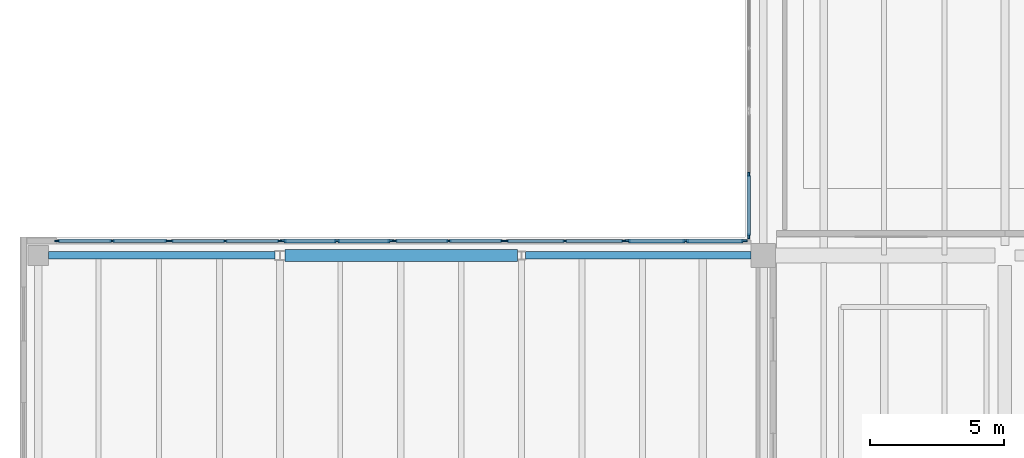
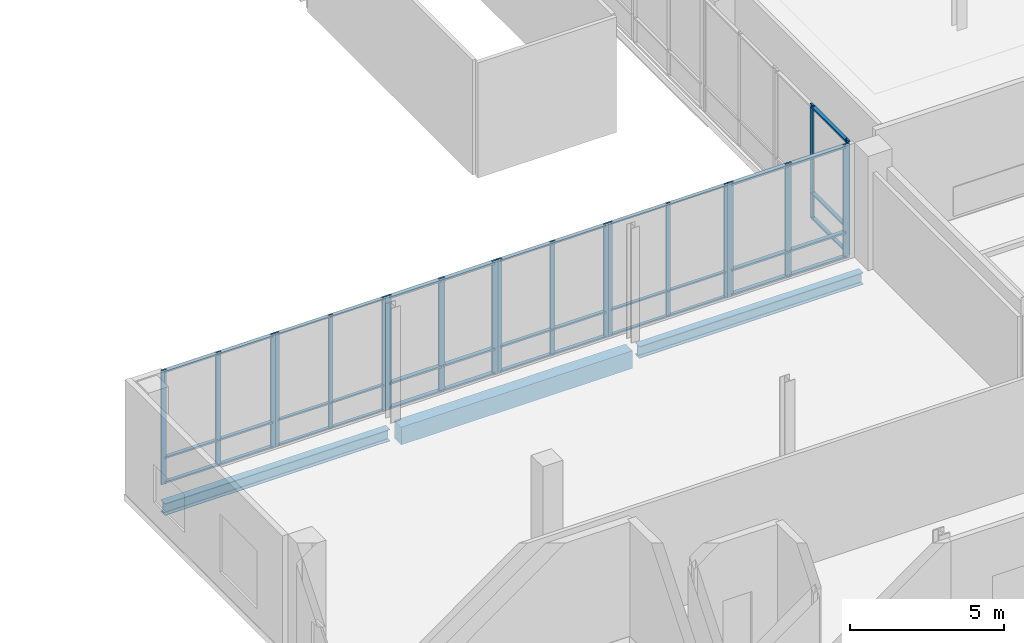
# One storey, part 10 of 30: 59 members, 3 beams, 7 elements without a shape of their own.
"""IFC4 building model written with IfcOpenShell, lengths in metres."""

from ifc_helpers import new_model, si_unit, direction, frame, origin, origin_2d, place, context, subcontext, project, spatial, rectangle, i_section, extrude, material, material_profile, profile_set, type_object, element, aggregate, save


model = new_model("IFC4")

# Units and contexts
model_context = context("Model", 3, precision=1e-05, world=origin(), true_north=direction((0.0, 1.0)))
body_context = subcontext(model_context, "Body", "Model", "MODEL_VIEW")
ifc_project = project(units=[si_unit("LENGTHUNIT", "METRE"), si_unit("AREAUNIT", "SQUARE_METRE"), si_unit("VOLUMEUNIT", "CUBIC_METRE"), si_unit("PLANEANGLEUNIT", "RADIAN"), si_unit("MASSUNIT", "GRAM", prefix="KILO")], contexts=[model_context])

# Site, building, storey
site_placement = place(None, origin())
site = spatial("IfcSite", under=ifc_project, at=site_placement, CompositionType="ELEMENT")
building_placement = place(site_placement, origin())
building = spatial("IfcBuilding", under=site, at=building_placement, Name="Trimount Lyric Opera House", CompositionType="ELEMENT")
storey_placement = place(building_placement, frame((0.0, 0.0, 24.800048828125)))
storey = spatial("IfcBuildingStorey", under=building, at=storey_placement, Name="L05", CompositionType="ELEMENT", Elevation=24.800048828125)

# Curtain wall, members
ifc_material_1 = material(Name="Thermally Broken Aluminium and Low-E Glass", Category="aluminium")
curtain_wall_type = type_object("IfcCurtainWallType", Name="CW-03", PredefinedType="NOTDEFINED", material=ifc_material_1)
curtain_wall_1_placement = place(storey_placement, origin())
curtain_wall_1 = element("IfcCurtainWall", 1, at=curtain_wall_1_placement, inside=storey, type_object=curtain_wall_type, Name="L05 curtain wall 339", PredefinedType="NOTDEFINED")
ifc_material_2 = material(Name="Anodised Aluminium 6063-T6", Category="aluminium")
ifc_material_profile_1 = material_profile(ifc_material_2, rectangle(XDim=0.070068359375, YDim=0.219970703125, at=origin_2d()), Name="ALU-MULL-70X220")
ifc_profile_set_1 = profile_set([ifc_material_profile_1], Name="Anodised Aluminium 6063-T6")
member_type_1 = type_object("IfcMemberType", Name="ML-01", PredefinedType="MULLION", material=ifc_profile_set_1)
member_1_placement = place(storey_placement, frame((27.125, 74.5400390625, 0.0), z_axis=(0.0, 0.0, 1.0), x_axis=(0.0, 1.0, 0.0)))
member_1 = element("IfcMember", 2, at=member_1_placement, type_object=member_type_1, Name="CW-03 mullion 1", PredefinedType="MULLION", context=body_context, shape_type="SweptSolid", body=[
    extrude(rectangle(XDim=0.070068359375, YDim=0.219970703125, at=origin_2d()), origin(), (0.0, 0.0, 1.0), 4.530029296875),
])
member_2_placement = place(storey_placement, frame((29.125, 74.5400390625, 0.0), z_axis=(0.0, 0.0, 1.0), x_axis=(0.0, 1.0, 0.0)))
member_2 = element("IfcMember", 3, at=member_2_placement, type_object=member_type_1, Name="CW-03 mullion 2", PredefinedType="MULLION", context=body_context, shape_type="SweptSolid", body=[
    extrude(rectangle(XDim=0.070068359375, YDim=0.219970703125, at=origin_2d()), origin(), (0.0, 0.0, 1.0), 4.530029296875),
])
member_3_placement = place(storey_placement, frame((31.125, 74.5400390625, 0.0), z_axis=(0.0, 0.0, 1.0), x_axis=(0.0, 1.0, 0.0)))
member_3 = element("IfcMember", 4, at=member_3_placement, type_object=member_type_1, Name="CW-03 mullion 3", PredefinedType="MULLION", context=body_context, shape_type="SweptSolid", body=[
    extrude(rectangle(XDim=0.070068359375, YDim=0.219970703125, at=origin_2d()), origin(), (0.0, 0.0, 1.0), 4.530029296875),
])

curtain_wall_2_placement = place(storey_placement, origin())
curtain_wall_2 = element("IfcCurtainWall", 5, at=curtain_wall_2_placement, inside=storey, type_object=curtain_wall_type, Name="L05 curtain wall 342", PredefinedType="NOTDEFINED")
member_4_placement = place(storey_placement, frame((39.945068359375, 74.5400390625, 0.0), z_axis=(0.0, 0.0, 1.0), x_axis=(0.0, 1.0, 0.0)))
member_4 = element("IfcMember", 6, at=member_4_placement, type_object=member_type_1, Name="CW-03 mullion 1", PredefinedType="MULLION", context=body_context, shape_type="SweptSolid", body=[
    extrude(rectangle(XDim=0.070068359375, YDim=0.219970703125, at=origin_2d()), origin(), (0.0, 0.0, 1.0), 4.530029296875),
])
member_5_placement = place(storey_placement, frame((42.114990234375, 74.5400390625, 0.0), z_axis=(0.0, 0.0, 1.0), x_axis=(0.0, 1.0, 0.0)))
member_5 = element("IfcMember", 7, at=member_5_placement, type_object=member_type_1, Name="CW-03 mullion 2", PredefinedType="MULLION", context=body_context, shape_type="SweptSolid", body=[
    extrude(rectangle(XDim=0.070068359375, YDim=0.219970703125, at=origin_2d()), origin(), (0.0, 0.0, 1.0), 4.530029296875),
])
member_6_placement = place(storey_placement, frame((44.284912109375, 74.5400390625, 0.0), z_axis=(0.0, 0.0, 1.0), x_axis=(0.0, 1.0, 0.0)))
member_6 = element("IfcMember", 8, at=member_6_placement, type_object=member_type_1, Name="CW-03 mullion 3", PredefinedType="MULLION", context=body_context, shape_type="SweptSolid", body=[
    extrude(rectangle(XDim=0.070068359375, YDim=0.219970703125, at=origin_2d()), origin(), (0.0, 0.0, 1.0), 4.530029296875),
])

curtain_wall_3_placement = place(storey_placement, origin())
curtain_wall_3 = element("IfcCurtainWall", 9, at=curtain_wall_3_placement, inside=storey, type_object=curtain_wall_type, Name="L05 curtain wall 337", PredefinedType="NOTDEFINED")
ifc_material_3 = material(Name="Anodised Aluminium 6063-T6", Category="aluminium")
ifc_material_profile_2 = material_profile(ifc_material_3, rectangle(XDim=0.06494140625, YDim=0.179931640625, at=origin_2d()), Name="ALU-MULL-65X180")
ifc_profile_set_2 = profile_set([ifc_material_profile_2], Name="Anodised Aluminium 6063-T6")
member_type_2 = type_object("IfcMemberType", Name="ML-02", PredefinedType="MULLION", material=ifc_profile_set_2)
member_7_placement = place(storey_placement, frame((18.71240234375, 74.5400390625, 0.0), z_axis=(0.0, 0.0, 1.0), x_axis=(0.0, 1.0, 0.0)))
member_7 = element("IfcMember", 10, at=member_7_placement, type_object=member_type_2, Name="CW-03 mullion 1", PredefinedType="MULLION", context=body_context, shape_type="SweptSolid", body=[
    extrude(rectangle(XDim=0.06494140625, YDim=0.179931640625, at=origin_2d()), origin(), (0.0, 0.0, 1.0), 4.530029296875),
])
member_8_placement = place(storey_placement, frame((20.760009765625, 74.5400390625, 0.0), z_axis=(0.0, 0.0, 1.0), x_axis=(0.0, 1.0, 0.0)))
member_8 = element("IfcMember", 11, at=member_8_placement, type_object=member_type_2, Name="CW-03 mullion 2", PredefinedType="MULLION", context=body_context, shape_type="SweptSolid", body=[
    extrude(rectangle(XDim=0.06494140625, YDim=0.179931640625, at=origin_2d()), origin(), (0.0, 0.0, 1.0), 4.530029296875),
])
member_9_placement = place(storey_placement, frame((22.8076171875, 74.5400390625, 0.0), z_axis=(0.0, 0.0, 1.0), x_axis=(0.0, 1.0, 0.0)))
member_9 = element("IfcMember", 12, at=member_9_placement, type_object=member_type_2, Name="CW-03 mullion 3", PredefinedType="MULLION", context=body_context, shape_type="SweptSolid", body=[
    extrude(rectangle(XDim=0.06494140625, YDim=0.179931640625, at=origin_2d()), origin(), (0.0, 0.0, 1.0), 4.530029296875),
])

curtain_wall_4_placement = place(storey_placement, origin())
curtain_wall_4 = element("IfcCurtainWall", 13, at=curtain_wall_4_placement, inside=storey, type_object=curtain_wall_type, Name="L05 curtain wall 340", PredefinedType="NOTDEFINED")
member_10_placement = place(storey_placement, frame((31.282470703125, 74.5400390625, 0.0), z_axis=(0.0, 0.0, 1.0), x_axis=(0.0, 1.0, 0.0)))
member_10 = element("IfcMember", 14, at=member_10_placement, type_object=member_type_2, Name="CW-03 mullion 1", PredefinedType="MULLION", context=body_context, shape_type="SweptSolid", body=[
    extrude(rectangle(XDim=0.06494140625, YDim=0.179931640625, at=origin_2d()), origin(), (0.0, 0.0, 1.0), 4.530029296875),
])
member_11_placement = place(storey_placement, frame((33.284912109375, 74.5400390625, 0.0), z_axis=(0.0, 0.0, 1.0), x_axis=(0.0, 1.0, 0.0)))
member_11 = element("IfcMember", 15, at=member_11_placement, type_object=member_type_2, Name="CW-03 mullion 2", PredefinedType="MULLION", context=body_context, shape_type="SweptSolid", body=[
    extrude(rectangle(XDim=0.06494140625, YDim=0.179931640625, at=origin_2d()), origin(), (0.0, 0.0, 1.0), 4.530029296875),
])
member_12_placement = place(storey_placement, frame((35.28759765625, 74.5400390625, 0.0), z_axis=(0.0, 0.0, 1.0), x_axis=(0.0, 1.0, 0.0)))
member_12 = element("IfcMember", 16, at=member_12_placement, type_object=member_type_2, Name="CW-03 mullion 3", PredefinedType="MULLION", context=body_context, shape_type="SweptSolid", body=[
    extrude(rectangle(XDim=0.06494140625, YDim=0.179931640625, at=origin_2d()), origin(), (0.0, 0.0, 1.0), 4.530029296875),
])

curtain_wall_5_placement = place(storey_placement, origin())
curtain_wall_5 = element("IfcCurtainWall", 17, at=curtain_wall_5_placement, inside=storey, type_object=curtain_wall_type, Name="L05 curtain wall 343", PredefinedType="NOTDEFINED")
member_13_placement = place(storey_placement, frame((44.4599609375, 74.71240234375, 0.0), z_axis=(0.0, 0.0, 1.0), x_axis=(-1.0, 0.0, 0.0)))
member_13 = element("IfcMember", 18, at=member_13_placement, type_object=member_type_2, Name="CW-03 mullion 1", PredefinedType="MULLION", context=body_context, shape_type="SweptSolid", body=[
    extrude(rectangle(XDim=0.06494140625, YDim=0.179931640625, at=origin_2d()), origin(), (0.0, 0.0, 1.0), 4.530029296875),
])
member_14_placement = place(storey_placement, frame((44.4599609375, 77.010009765625, 0.0), z_axis=(0.0, 0.0, 1.0), x_axis=(-1.0, 0.0, 0.0)))
member_14 = element("IfcMember", 19, at=member_14_placement, type_object=member_type_2, Name="CW-03 mullion 2", PredefinedType="MULLION", context=body_context, shape_type="SweptSolid", body=[
    extrude(rectangle(XDim=0.06494140625, YDim=0.179931640625, at=origin_2d()), origin(), (0.0, 0.0, 1.0), 4.530029296875),
])

curtain_wall_6_placement = place(storey_placement, origin())
curtain_wall_6 = element("IfcCurtainWall", 20, at=curtain_wall_6_placement, inside=storey, type_object=curtain_wall_type, Name="L05 curtain wall 338", PredefinedType="NOTDEFINED")
ifc_material_4 = material(Name="Anodised Aluminium 6063-T6", Category="aluminium")
ifc_material_profile_3 = material_profile(ifc_material_4, rectangle(XDim=0.06005859375, YDim=0.14990234375, at=origin_2d()), Name="ALU-MULL-60X150")
ifc_profile_set_3 = profile_set([ifc_material_profile_3], Name="Anodised Aluminium 6063-T6")
member_type_3 = type_object("IfcMemberType", Name="ML-03", PredefinedType="MULLION", material=ifc_profile_set_3)
member_15_placement = place(storey_placement, frame((22.9599609375, 74.5400390625, 0.0), z_axis=(0.0, 0.0, 1.0), x_axis=(0.0, 1.0, 0.0)))
member_15 = element("IfcMember", 21, at=member_15_placement, type_object=member_type_3, Name="CW-03 mullion 1", PredefinedType="MULLION", context=body_context, shape_type="SweptSolid", body=[
    extrude(rectangle(XDim=0.06005859375, YDim=0.14990234375, at=origin_2d()), origin(), (0.0, 0.0, 1.0), 4.530029296875),
])
member_16_placement = place(storey_placement, frame((24.965087890625, 74.5400390625, 0.0), z_axis=(0.0, 0.0, 1.0), x_axis=(0.0, 1.0, 0.0)))
member_16 = element("IfcMember", 22, at=member_16_placement, type_object=member_type_3, Name="CW-03 mullion 2", PredefinedType="MULLION", context=body_context, shape_type="SweptSolid", body=[
    extrude(rectangle(XDim=0.06005859375, YDim=0.14990234375, at=origin_2d()), origin(), (0.0, 0.0, 1.0), 4.530029296875),
])
member_17_placement = place(storey_placement, frame((26.969970703125, 74.5400390625, 0.0), z_axis=(0.0, 0.0, 1.0), x_axis=(0.0, 1.0, 0.0)))
member_17 = element("IfcMember", 23, at=member_17_placement, type_object=member_type_3, Name="CW-03 mullion 3", PredefinedType="MULLION", context=body_context, shape_type="SweptSolid", body=[
    extrude(rectangle(XDim=0.06005859375, YDim=0.14990234375, at=origin_2d()), origin(), (0.0, 0.0, 1.0), 4.530029296875),
])

curtain_wall_7_placement = place(storey_placement, origin())
curtain_wall_7 = element("IfcCurtainWall", 24, at=curtain_wall_7_placement, inside=storey, type_object=curtain_wall_type, Name="L05 curtain wall 341", PredefinedType="NOTDEFINED")
member_18_placement = place(storey_placement, frame((35.43994140625, 74.5400390625, 0.0), z_axis=(0.0, 0.0, 1.0), x_axis=(0.0, 1.0, 0.0)))
member_18 = element("IfcMember", 25, at=member_18_placement, type_object=member_type_3, Name="CW-03 mullion 1", PredefinedType="MULLION", context=body_context, shape_type="SweptSolid", body=[
    extrude(rectangle(XDim=0.06005859375, YDim=0.14990234375, at=origin_2d()), origin(), (0.0, 0.0, 1.0), 4.530029296875),
])
member_19_placement = place(storey_placement, frame((37.614990234375, 74.5400390625, 0.0), z_axis=(0.0, 0.0, 1.0), x_axis=(0.0, 1.0, 0.0)))
member_19 = element("IfcMember", 26, at=member_19_placement, type_object=member_type_3, Name="CW-03 mullion 2", PredefinedType="MULLION", context=body_context, shape_type="SweptSolid", body=[
    extrude(rectangle(XDim=0.06005859375, YDim=0.14990234375, at=origin_2d()), origin(), (0.0, 0.0, 1.0), 4.530029296875),
])
member_20_placement = place(storey_placement, frame((39.7900390625, 74.5400390625, 0.0), z_axis=(0.0, 0.0, 1.0), x_axis=(0.0, 1.0, 0.0)))
member_20 = element("IfcMember", 27, at=member_20_placement, type_object=member_type_3, Name="CW-03 mullion 3", PredefinedType="MULLION", context=body_context, shape_type="SweptSolid", body=[
    extrude(rectangle(XDim=0.06005859375, YDim=0.14990234375, at=origin_2d()), origin(), (0.0, 0.0, 1.0), 4.530029296875),
])

# Beams
ifc_material_5 = material(Name="Steel ASTM A992 Grade 50", Category="steel")
ifc_material_profile_4 = material_profile(ifc_material_5, i_section(OverallWidth=0.281982421875, OverallDepth=0.467041015625, WebThickness=0.01220703125, FlangeThickness=0.01953125, FilletRadius=0.012939453125, at=origin_2d()), Name="W18X86")
ifc_profile_set_4 = profile_set([ifc_material_profile_4], Name="Steel ASTM A992 Grade 50")
beam_type_1 = type_object("IfcBeamType", Name="SP-01", PredefinedType="SPANDREL", material=ifc_profile_set_4)
beam_1_placement = place(storey_placement, frame((18.375, 74.0, -0.49365234375), z_axis=(1.0, 0.0, 0.0), x_axis=(0.0, 1.0, 0.0)))
element("IfcBeam", 28, at=beam_1_placement, inside=storey, type_object=beam_type_1, Name="L05 girder X-1267", PredefinedType="SPANDREL", context=body_context, shape_type="SweptSolid", body=[
    extrude(i_section(OverallWidth=0.281982421875, OverallDepth=0.467041015625, WebThickness=0.01220703125, FlangeThickness=0.01953125, FilletRadius=0.012939453125, at=origin_2d()), origin(), (0.0, 0.0, 1.0), 8.44091796875),
])
beam_2_placement = place(storey_placement, frame((36.152587890625, 74.0, -0.49365234375), z_axis=(1.0, 0.0, 0.0), x_axis=(0.0, 1.0, 0.0)))
element("IfcBeam", 29, at=beam_2_placement, inside=storey, type_object=beam_type_1, Name="L05 girder X-1269", PredefinedType="SPANDREL", context=body_context, shape_type="SweptSolid", body=[
    extrude(i_section(OverallWidth=0.281982421875, OverallDepth=0.467041015625, WebThickness=0.01220703125, FlangeThickness=0.01953125, FilletRadius=0.012939453125, at=origin_2d()), origin(), (0.0, 0.0, 1.0), 8.3974609375),
])
ifc_material_6 = material(Name="Concrete C40/50", Category="concrete")
ifc_material_profile_5 = material_profile(ifc_material_6, rectangle(XDim=0.449951171875, YDim=0.699951171875, at=origin_2d()), Name="RC450X700")
ifc_profile_set_5 = profile_set([ifc_material_profile_5], Name="Concrete C40/50")
beam_type_2 = type_object("IfcBeamType", Name="SP-02", PredefinedType="SPANDREL", material=ifc_profile_set_5)
beam_3_placement = place(storey_placement, frame((27.18408203125, 74.0, -0.610107421875), z_axis=(1.0, 0.0, 0.0), x_axis=(0.0, 1.0, 0.0)))
element("IfcBeam", 30, at=beam_3_placement, inside=storey, type_object=beam_type_2, Name="L05 girder X-1268", PredefinedType="SPANDREL", context=body_context, shape_type="SweptSolid", body=[
    extrude(rectangle(XDim=0.449951171875, YDim=0.699951171875, at=origin_2d()), origin(), (0.0, 0.0, 1.0), 8.663330078125),
])

# Member
ifc_material_7 = material(Name="Anodised Aluminium 6063-T6", Category="aluminium")
ifc_material_profile_6 = material_profile(ifc_material_7, rectangle(XDim=0.159912109375, YDim=0.070068359375, at=origin_2d()), Name="ALU-TRAN-70X160")
ifc_profile_set_6 = profile_set([ifc_material_profile_6], Name="Anodised Aluminium 6063-T6")
member_type_4 = type_object("IfcMemberType", Name="TR-01", PredefinedType="USERDEFINED", material=ifc_profile_set_6)
member_21_placement = place(storey_placement, frame((27.159912109375, 74.5400390625, 0.079833984375), z_axis=(1.0, 0.0, 0.0), x_axis=(0.0, 1.0, 0.0)))
member_21 = element("IfcMember", 31, at=member_21_placement, type_object=member_type_4, Name="CW-03 transom 1.1", ObjectType="TRANSOM", PredefinedType="USERDEFINED", context=body_context, shape_type="SweptSolid", body=[
    extrude(rectangle(XDim=0.159912109375, YDim=0.070068359375, at=origin_2d()), origin(), (0.0, 0.0, 1.0), 1.93017578125),
])

member_22_placement = place(storey_placement, frame((27.159912109375, 74.5400390625, 1.050048828125), z_axis=(1.0, 0.0, 0.0), x_axis=(0.0, 1.0, 0.0)))
member_22 = element("IfcMember", 32, at=member_22_placement, type_object=member_type_4, Name="CW-03 transom 1.2", ObjectType="TRANSOM", PredefinedType="USERDEFINED", context=body_context, shape_type="SweptSolid", body=[
    extrude(rectangle(XDim=0.159912109375, YDim=0.070068359375, at=origin_2d()), origin(), (0.0, 0.0, 1.0), 1.93017578125),
])

member_23_placement = place(storey_placement, frame((27.159912109375, 74.5400390625, 4.449951171875), z_axis=(1.0, 0.0, 0.0), x_axis=(0.0, 1.0, 0.0)))
member_23 = element("IfcMember", 33, at=member_23_placement, type_object=member_type_4, Name="CW-03 transom 1.3", ObjectType="TRANSOM", PredefinedType="USERDEFINED", context=body_context, shape_type="SweptSolid", body=[
    extrude(rectangle(XDim=0.159912109375, YDim=0.070068359375, at=origin_2d()), origin(), (0.0, 0.0, 1.0), 1.93017578125),
])

member_24_placement = place(storey_placement, frame((29.159912109375, 74.5400390625, 0.079833984375), z_axis=(1.0, 0.0, 0.0), x_axis=(0.0, 1.0, 0.0)))
member_24 = element("IfcMember", 34, at=member_24_placement, type_object=member_type_4, Name="CW-03 transom 2.1", ObjectType="TRANSOM", PredefinedType="USERDEFINED", context=body_context, shape_type="SweptSolid", body=[
    extrude(rectangle(XDim=0.159912109375, YDim=0.070068359375, at=origin_2d()), origin(), (0.0, 0.0, 1.0), 1.93017578125),
])

member_25_placement = place(storey_placement, frame((29.159912109375, 74.5400390625, 1.050048828125), z_axis=(1.0, 0.0, 0.0), x_axis=(0.0, 1.0, 0.0)))
member_25 = element("IfcMember", 35, at=member_25_placement, type_object=member_type_4, Name="CW-03 transom 2.2", ObjectType="TRANSOM", PredefinedType="USERDEFINED", context=body_context, shape_type="SweptSolid", body=[
    extrude(rectangle(XDim=0.159912109375, YDim=0.070068359375, at=origin_2d()), origin(), (0.0, 0.0, 1.0), 1.93017578125),
])

member_26_placement = place(storey_placement, frame((29.159912109375, 74.5400390625, 4.449951171875), z_axis=(1.0, 0.0, 0.0), x_axis=(0.0, 1.0, 0.0)))
member_26 = element("IfcMember", 36, at=member_26_placement, type_object=member_type_4, Name="CW-03 transom 2.3", ObjectType="TRANSOM", PredefinedType="USERDEFINED", context=body_context, shape_type="SweptSolid", body=[
    extrude(rectangle(XDim=0.159912109375, YDim=0.070068359375, at=origin_2d()), origin(), (0.0, 0.0, 1.0), 1.93017578125),
])

aggregate(curtain_wall_1, [member_1, member_2, member_3, member_21, member_22, member_23, member_24, member_25, member_26])

member_27_placement = place(storey_placement, frame((39.97998046875, 74.5400390625, 0.079833984375), z_axis=(1.0, 0.0, 0.0), x_axis=(0.0, 1.0, 0.0)))
member_27 = element("IfcMember", 37, at=member_27_placement, type_object=member_type_4, Name="CW-03 transom 1.1", ObjectType="TRANSOM", PredefinedType="USERDEFINED", context=body_context, shape_type="SweptSolid", body=[
    extrude(rectangle(XDim=0.159912109375, YDim=0.070068359375, at=origin_2d()), origin(), (0.0, 0.0, 1.0), 2.10009765625),
])

member_28_placement = place(storey_placement, frame((39.97998046875, 74.5400390625, 1.050048828125), z_axis=(1.0, 0.0, 0.0), x_axis=(0.0, 1.0, 0.0)))
member_28 = element("IfcMember", 38, at=member_28_placement, type_object=member_type_4, Name="CW-03 transom 1.2", ObjectType="TRANSOM", PredefinedType="USERDEFINED", context=body_context, shape_type="SweptSolid", body=[
    extrude(rectangle(XDim=0.159912109375, YDim=0.070068359375, at=origin_2d()), origin(), (0.0, 0.0, 1.0), 2.10009765625),
])

member_29_placement = place(storey_placement, frame((39.97998046875, 74.5400390625, 4.449951171875), z_axis=(1.0, 0.0, 0.0), x_axis=(0.0, 1.0, 0.0)))
member_29 = element("IfcMember", 39, at=member_29_placement, type_object=member_type_4, Name="CW-03 transom 1.3", ObjectType="TRANSOM", PredefinedType="USERDEFINED", context=body_context, shape_type="SweptSolid", body=[
    extrude(rectangle(XDim=0.159912109375, YDim=0.070068359375, at=origin_2d()), origin(), (0.0, 0.0, 1.0), 2.10009765625),
])

member_30_placement = place(storey_placement, frame((42.14990234375, 74.5400390625, 0.079833984375), z_axis=(1.0, 0.0, 0.0), x_axis=(0.0, 1.0, 0.0)))
member_30 = element("IfcMember", 40, at=member_30_placement, type_object=member_type_4, Name="CW-03 transom 2.1", ObjectType="TRANSOM", PredefinedType="USERDEFINED", context=body_context, shape_type="SweptSolid", body=[
    extrude(rectangle(XDim=0.159912109375, YDim=0.070068359375, at=origin_2d()), origin(), (0.0, 0.0, 1.0), 2.10009765625),
])

member_31_placement = place(storey_placement, frame((42.14990234375, 74.5400390625, 1.050048828125), z_axis=(1.0, 0.0, 0.0), x_axis=(0.0, 1.0, 0.0)))
member_31 = element("IfcMember", 41, at=member_31_placement, type_object=member_type_4, Name="CW-03 transom 2.2", ObjectType="TRANSOM", PredefinedType="USERDEFINED", context=body_context, shape_type="SweptSolid", body=[
    extrude(rectangle(XDim=0.159912109375, YDim=0.070068359375, at=origin_2d()), origin(), (0.0, 0.0, 1.0), 2.10009765625),
])

member_32_placement = place(storey_placement, frame((42.14990234375, 74.5400390625, 4.449951171875), z_axis=(1.0, 0.0, 0.0), x_axis=(0.0, 1.0, 0.0)))
member_32 = element("IfcMember", 42, at=member_32_placement, type_object=member_type_4, Name="CW-03 transom 2.3", ObjectType="TRANSOM", PredefinedType="USERDEFINED", context=body_context, shape_type="SweptSolid", body=[
    extrude(rectangle(XDim=0.159912109375, YDim=0.070068359375, at=origin_2d()), origin(), (0.0, 0.0, 1.0), 2.10009765625),
])

aggregate(curtain_wall_2, [member_4, member_5, member_6, member_27, member_28, member_29, member_30, member_31, member_32])

ifc_material_8 = material(Name="Anodised Aluminium 6063-T6", Category="aluminium")
ifc_material_profile_7 = material_profile(ifc_material_8, rectangle(XDim=0.135009765625, YDim=0.06494140625, at=origin_2d()), Name="ALU-TRAN-65X135")
ifc_profile_set_7 = profile_set([ifc_material_profile_7], Name="Anodised Aluminium 6063-T6")
member_type_5 = type_object("IfcMemberType", Name="TR-02", PredefinedType="USERDEFINED", material=ifc_profile_set_7)
member_33_placement = place(storey_placement, frame((18.7451171875, 74.5400390625, 0.0673828125), z_axis=(1.0, 0.0, 0.0), x_axis=(0.0, 1.0, 0.0)))
member_33 = element("IfcMember", 43, at=member_33_placement, type_object=member_type_5, Name="CW-03 transom 1.1", ObjectType="TRANSOM", PredefinedType="USERDEFINED", context=body_context, shape_type="SweptSolid", body=[
    extrude(rectangle(XDim=0.135009765625, YDim=0.06494140625, at=origin_2d()), origin(), (0.0, 0.0, 1.0), 1.982421875),
])

member_34_placement = place(storey_placement, frame((18.7451171875, 74.5400390625, 1.050048828125), z_axis=(1.0, 0.0, 0.0), x_axis=(0.0, 1.0, 0.0)))
member_34 = element("IfcMember", 44, at=member_34_placement, type_object=member_type_5, Name="CW-03 transom 1.2", ObjectType="TRANSOM", PredefinedType="USERDEFINED", context=body_context, shape_type="SweptSolid", body=[
    extrude(rectangle(XDim=0.135009765625, YDim=0.06494140625, at=origin_2d()), origin(), (0.0, 0.0, 1.0), 1.982421875),
])

member_35_placement = place(storey_placement, frame((18.7451171875, 74.5400390625, 4.46240234375), z_axis=(1.0, 0.0, 0.0), x_axis=(0.0, 1.0, 0.0)))
member_35 = element("IfcMember", 45, at=member_35_placement, type_object=member_type_5, Name="CW-03 transom 1.3", ObjectType="TRANSOM", PredefinedType="USERDEFINED", context=body_context, shape_type="SweptSolid", body=[
    extrude(rectangle(XDim=0.135009765625, YDim=0.06494140625, at=origin_2d()), origin(), (0.0, 0.0, 1.0), 1.982421875),
])

member_36_placement = place(storey_placement, frame((20.79248046875, 74.5400390625, 0.0673828125), z_axis=(1.0, 0.0, 0.0), x_axis=(0.0, 1.0, 0.0)))
member_36 = element("IfcMember", 46, at=member_36_placement, type_object=member_type_5, Name="CW-03 transom 2.1", ObjectType="TRANSOM", PredefinedType="USERDEFINED", context=body_context, shape_type="SweptSolid", body=[
    extrude(rectangle(XDim=0.135009765625, YDim=0.06494140625, at=origin_2d()), origin(), (0.0, 0.0, 1.0), 1.982421875),
])

member_37_placement = place(storey_placement, frame((20.79248046875, 74.5400390625, 1.050048828125), z_axis=(1.0, 0.0, 0.0), x_axis=(0.0, 1.0, 0.0)))
member_37 = element("IfcMember", 47, at=member_37_placement, type_object=member_type_5, Name="CW-03 transom 2.2", ObjectType="TRANSOM", PredefinedType="USERDEFINED", context=body_context, shape_type="SweptSolid", body=[
    extrude(rectangle(XDim=0.135009765625, YDim=0.06494140625, at=origin_2d()), origin(), (0.0, 0.0, 1.0), 1.982421875),
])

member_38_placement = place(storey_placement, frame((20.79248046875, 74.5400390625, 4.46240234375), z_axis=(1.0, 0.0, 0.0), x_axis=(0.0, 1.0, 0.0)))
member_38 = element("IfcMember", 48, at=member_38_placement, type_object=member_type_5, Name="CW-03 transom 2.3", ObjectType="TRANSOM", PredefinedType="USERDEFINED", context=body_context, shape_type="SweptSolid", body=[
    extrude(rectangle(XDim=0.135009765625, YDim=0.06494140625, at=origin_2d()), origin(), (0.0, 0.0, 1.0), 1.982421875),
])

aggregate(curtain_wall_3, [member_7, member_8, member_9, member_33, member_34, member_35, member_36, member_37, member_38])

member_39_placement = place(storey_placement, frame((31.31494140625, 74.5400390625, 0.0673828125), z_axis=(1.0, 0.0, 0.0), x_axis=(0.0, 1.0, 0.0)))
member_39 = element("IfcMember", 49, at=member_39_placement, type_object=member_type_5, Name="CW-03 transom 1.1", ObjectType="TRANSOM", PredefinedType="USERDEFINED", context=body_context, shape_type="SweptSolid", body=[
    extrude(rectangle(XDim=0.135009765625, YDim=0.06494140625, at=origin_2d()), origin(), (0.0, 0.0, 1.0), 1.9375),
])

member_40_placement = place(storey_placement, frame((31.31494140625, 74.5400390625, 1.050048828125), z_axis=(1.0, 0.0, 0.0), x_axis=(0.0, 1.0, 0.0)))
member_40 = element("IfcMember", 50, at=member_40_placement, type_object=member_type_5, Name="CW-03 transom 1.2", ObjectType="TRANSOM", PredefinedType="USERDEFINED", context=body_context, shape_type="SweptSolid", body=[
    extrude(rectangle(XDim=0.135009765625, YDim=0.06494140625, at=origin_2d()), origin(), (0.0, 0.0, 1.0), 1.9375),
])

member_41_placement = place(storey_placement, frame((31.31494140625, 74.5400390625, 4.46240234375), z_axis=(1.0, 0.0, 0.0), x_axis=(0.0, 1.0, 0.0)))
member_41 = element("IfcMember", 51, at=member_41_placement, type_object=member_type_5, Name="CW-03 transom 1.3", ObjectType="TRANSOM", PredefinedType="USERDEFINED", context=body_context, shape_type="SweptSolid", body=[
    extrude(rectangle(XDim=0.135009765625, YDim=0.06494140625, at=origin_2d()), origin(), (0.0, 0.0, 1.0), 1.9375),
])

member_42_placement = place(storey_placement, frame((33.3173828125, 74.5400390625, 0.0673828125), z_axis=(1.0, 0.0, 0.0), x_axis=(0.0, 1.0, 0.0)))
member_42 = element("IfcMember", 52, at=member_42_placement, type_object=member_type_5, Name="CW-03 transom 2.1", ObjectType="TRANSOM", PredefinedType="USERDEFINED", context=body_context, shape_type="SweptSolid", body=[
    extrude(rectangle(XDim=0.135009765625, YDim=0.06494140625, at=origin_2d()), origin(), (0.0, 0.0, 1.0), 1.9375),
])

member_43_placement = place(storey_placement, frame((33.3173828125, 74.5400390625, 1.050048828125), z_axis=(1.0, 0.0, 0.0), x_axis=(0.0, 1.0, 0.0)))
member_43 = element("IfcMember", 53, at=member_43_placement, type_object=member_type_5, Name="CW-03 transom 2.2", ObjectType="TRANSOM", PredefinedType="USERDEFINED", context=body_context, shape_type="SweptSolid", body=[
    extrude(rectangle(XDim=0.135009765625, YDim=0.06494140625, at=origin_2d()), origin(), (0.0, 0.0, 1.0), 1.9375),
])

member_44_placement = place(storey_placement, frame((33.3173828125, 74.5400390625, 4.46240234375), z_axis=(1.0, 0.0, 0.0), x_axis=(0.0, 1.0, 0.0)))
member_44 = element("IfcMember", 54, at=member_44_placement, type_object=member_type_5, Name="CW-03 transom 2.3", ObjectType="TRANSOM", PredefinedType="USERDEFINED", context=body_context, shape_type="SweptSolid", body=[
    extrude(rectangle(XDim=0.135009765625, YDim=0.06494140625, at=origin_2d()), origin(), (0.0, 0.0, 1.0), 1.9375),
])

aggregate(curtain_wall_4, [member_10, member_11, member_12, member_39, member_40, member_41, member_42, member_43, member_44])

member_45_placement = place(storey_placement, frame((44.4599609375, 74.7451171875, 0.0673828125), z_axis=(0.0, 1.0, 0.0), x_axis=(-1.0, 0.0, 0.0)))
member_45 = element("IfcMember", 55, at=member_45_placement, type_object=member_type_5, Name="CW-03 transom 1.1", ObjectType="TRANSOM", PredefinedType="USERDEFINED", context=body_context, shape_type="SweptSolid", body=[
    extrude(rectangle(XDim=0.135009765625, YDim=0.06494140625, at=origin_2d()), origin(), (0.0, 0.0, 1.0), 2.232421875),
])

member_46_placement = place(storey_placement, frame((44.4599609375, 74.7451171875, 1.050048828125), z_axis=(0.0, 1.0, 0.0), x_axis=(-1.0, 0.0, 0.0)))
member_46 = element("IfcMember", 56, at=member_46_placement, type_object=member_type_5, Name="CW-03 transom 1.2", ObjectType="TRANSOM", PredefinedType="USERDEFINED", context=body_context, shape_type="SweptSolid", body=[
    extrude(rectangle(XDim=0.135009765625, YDim=0.06494140625, at=origin_2d()), origin(), (0.0, 0.0, 1.0), 2.232421875),
])

member_47_placement = place(storey_placement, frame((44.4599609375, 74.7451171875, 4.46240234375), z_axis=(0.0, 1.0, 0.0), x_axis=(-1.0, 0.0, 0.0)))
member_47 = element("IfcMember", 57, at=member_47_placement, type_object=member_type_5, Name="CW-03 transom 1.3", ObjectType="TRANSOM", PredefinedType="USERDEFINED", context=body_context, shape_type="SweptSolid", body=[
    extrude(rectangle(XDim=0.135009765625, YDim=0.06494140625, at=origin_2d()), origin(), (0.0, 0.0, 1.0), 2.232421875),
])

aggregate(curtain_wall_5, [member_13, member_14, member_45, member_46, member_47])

ifc_material_9 = material(Name="Anodised Aluminium 6063-T6", Category="aluminium")
ifc_material_profile_8 = material_profile(ifc_material_9, rectangle(XDim=0.114990234375, YDim=0.06005859375, at=origin_2d()), Name="ALU-TRAN-60X115")
ifc_profile_set_8 = profile_set([ifc_material_profile_8], Name="Anodised Aluminium 6063-T6")
member_type_6 = type_object("IfcMemberType", Name="TR-03", PredefinedType="USERDEFINED", material=ifc_profile_set_8)
member_48_placement = place(storey_placement, frame((22.989990234375, 74.5400390625, 0.057373046875), z_axis=(1.0, 0.0, 0.0), x_axis=(0.0, 1.0, 0.0)))
member_48 = element("IfcMember", 58, at=member_48_placement, type_object=member_type_6, Name="CW-03 transom 1.1", ObjectType="TRANSOM", PredefinedType="USERDEFINED", context=body_context, shape_type="SweptSolid", body=[
    extrude(rectangle(XDim=0.114990234375, YDim=0.06005859375, at=origin_2d()), origin(), (0.0, 0.0, 1.0), 1.945068359375),
])

member_49_placement = place(storey_placement, frame((22.989990234375, 74.5400390625, 1.050048828125), z_axis=(1.0, 0.0, 0.0), x_axis=(0.0, 1.0, 0.0)))
member_49 = element("IfcMember", 59, at=member_49_placement, type_object=member_type_6, Name="CW-03 transom 1.2", ObjectType="TRANSOM", PredefinedType="USERDEFINED", context=body_context, shape_type="SweptSolid", body=[
    extrude(rectangle(XDim=0.114990234375, YDim=0.06005859375, at=origin_2d()), origin(), (0.0, 0.0, 1.0), 1.945068359375),
])

member_50_placement = place(storey_placement, frame((22.989990234375, 74.5400390625, 4.472412109375), z_axis=(1.0, 0.0, 0.0), x_axis=(0.0, 1.0, 0.0)))
member_50 = element("IfcMember", 60, at=member_50_placement, type_object=member_type_6, Name="CW-03 transom 1.3", ObjectType="TRANSOM", PredefinedType="USERDEFINED", context=body_context, shape_type="SweptSolid", body=[
    extrude(rectangle(XDim=0.114990234375, YDim=0.06005859375, at=origin_2d()), origin(), (0.0, 0.0, 1.0), 1.945068359375),
])

member_51_placement = place(storey_placement, frame((24.9951171875, 74.5400390625, 0.057373046875), z_axis=(1.0, 0.0, 0.0), x_axis=(0.0, 1.0, 0.0)))
member_51 = element("IfcMember", 61, at=member_51_placement, type_object=member_type_6, Name="CW-03 transom 2.1", ObjectType="TRANSOM", PredefinedType="USERDEFINED", context=body_context, shape_type="SweptSolid", body=[
    extrude(rectangle(XDim=0.114990234375, YDim=0.06005859375, at=origin_2d()), origin(), (0.0, 0.0, 1.0), 1.94482421875),
])

member_52_placement = place(storey_placement, frame((24.9951171875, 74.5400390625, 1.050048828125), z_axis=(1.0, 0.0, 0.0), x_axis=(0.0, 1.0, 0.0)))
member_52 = element("IfcMember", 62, at=member_52_placement, type_object=member_type_6, Name="CW-03 transom 2.2", ObjectType="TRANSOM", PredefinedType="USERDEFINED", context=body_context, shape_type="SweptSolid", body=[
    extrude(rectangle(XDim=0.114990234375, YDim=0.06005859375, at=origin_2d()), origin(), (0.0, 0.0, 1.0), 1.94482421875),
])

member_53_placement = place(storey_placement, frame((24.9951171875, 74.5400390625, 4.472412109375), z_axis=(1.0, 0.0, 0.0), x_axis=(0.0, 1.0, 0.0)))
member_53 = element("IfcMember", 63, at=member_53_placement, type_object=member_type_6, Name="CW-03 transom 2.3", ObjectType="TRANSOM", PredefinedType="USERDEFINED", context=body_context, shape_type="SweptSolid", body=[
    extrude(rectangle(XDim=0.114990234375, YDim=0.06005859375, at=origin_2d()), origin(), (0.0, 0.0, 1.0), 1.94482421875),
])

aggregate(curtain_wall_6, [member_15, member_16, member_17, member_48, member_49, member_50, member_51, member_52, member_53])

member_54_placement = place(storey_placement, frame((35.469970703125, 74.5400390625, 0.057373046875), z_axis=(1.0, 0.0, 0.0), x_axis=(0.0, 1.0, 0.0)))
member_54 = element("IfcMember", 64, at=member_54_placement, type_object=member_type_6, Name="CW-03 transom 1.1", ObjectType="TRANSOM", PredefinedType="USERDEFINED", context=body_context, shape_type="SweptSolid", body=[
    extrude(rectangle(XDim=0.114990234375, YDim=0.06005859375, at=origin_2d()), origin(), (0.0, 0.0, 1.0), 2.114990234375),
])

member_55_placement = place(storey_placement, frame((35.469970703125, 74.5400390625, 1.050048828125), z_axis=(1.0, 0.0, 0.0), x_axis=(0.0, 1.0, 0.0)))
member_55 = element("IfcMember", 65, at=member_55_placement, type_object=member_type_6, Name="CW-03 transom 1.2", ObjectType="TRANSOM", PredefinedType="USERDEFINED", context=body_context, shape_type="SweptSolid", body=[
    extrude(rectangle(XDim=0.114990234375, YDim=0.06005859375, at=origin_2d()), origin(), (0.0, 0.0, 1.0), 2.114990234375),
])

member_56_placement = place(storey_placement, frame((35.469970703125, 74.5400390625, 4.472412109375), z_axis=(1.0, 0.0, 0.0), x_axis=(0.0, 1.0, 0.0)))
member_56 = element("IfcMember", 66, at=member_56_placement, type_object=member_type_6, Name="CW-03 transom 1.3", ObjectType="TRANSOM", PredefinedType="USERDEFINED", context=body_context, shape_type="SweptSolid", body=[
    extrude(rectangle(XDim=0.114990234375, YDim=0.06005859375, at=origin_2d()), origin(), (0.0, 0.0, 1.0), 2.114990234375),
])

member_57_placement = place(storey_placement, frame((37.64501953125, 74.5400390625, 0.057373046875), z_axis=(1.0, 0.0, 0.0), x_axis=(0.0, 1.0, 0.0)))
member_57 = element("IfcMember", 67, at=member_57_placement, type_object=member_type_6, Name="CW-03 transom 2.1", ObjectType="TRANSOM", PredefinedType="USERDEFINED", context=body_context, shape_type="SweptSolid", body=[
    extrude(rectangle(XDim=0.114990234375, YDim=0.06005859375, at=origin_2d()), origin(), (0.0, 0.0, 1.0), 2.114990234375),
])

member_58_placement = place(storey_placement, frame((37.64501953125, 74.5400390625, 1.050048828125), z_axis=(1.0, 0.0, 0.0), x_axis=(0.0, 1.0, 0.0)))
member_58 = element("IfcMember", 68, at=member_58_placement, type_object=member_type_6, Name="CW-03 transom 2.2", ObjectType="TRANSOM", PredefinedType="USERDEFINED", context=body_context, shape_type="SweptSolid", body=[
    extrude(rectangle(XDim=0.114990234375, YDim=0.06005859375, at=origin_2d()), origin(), (0.0, 0.0, 1.0), 2.114990234375),
])

member_59_placement = place(storey_placement, frame((37.64501953125, 74.5400390625, 4.472412109375), z_axis=(1.0, 0.0, 0.0), x_axis=(0.0, 1.0, 0.0)))
member_59 = element("IfcMember", 69, at=member_59_placement, type_object=member_type_6, Name="CW-03 transom 2.3", ObjectType="TRANSOM", PredefinedType="USERDEFINED", context=body_context, shape_type="SweptSolid", body=[
    extrude(rectangle(XDim=0.114990234375, YDim=0.06005859375, at=origin_2d()), origin(), (0.0, 0.0, 1.0), 2.114990234375),
])

aggregate(curtain_wall_7, [member_18, member_19, member_20, member_54, member_55, member_56, member_57, member_58, member_59])

save(model, "model.ifc")
